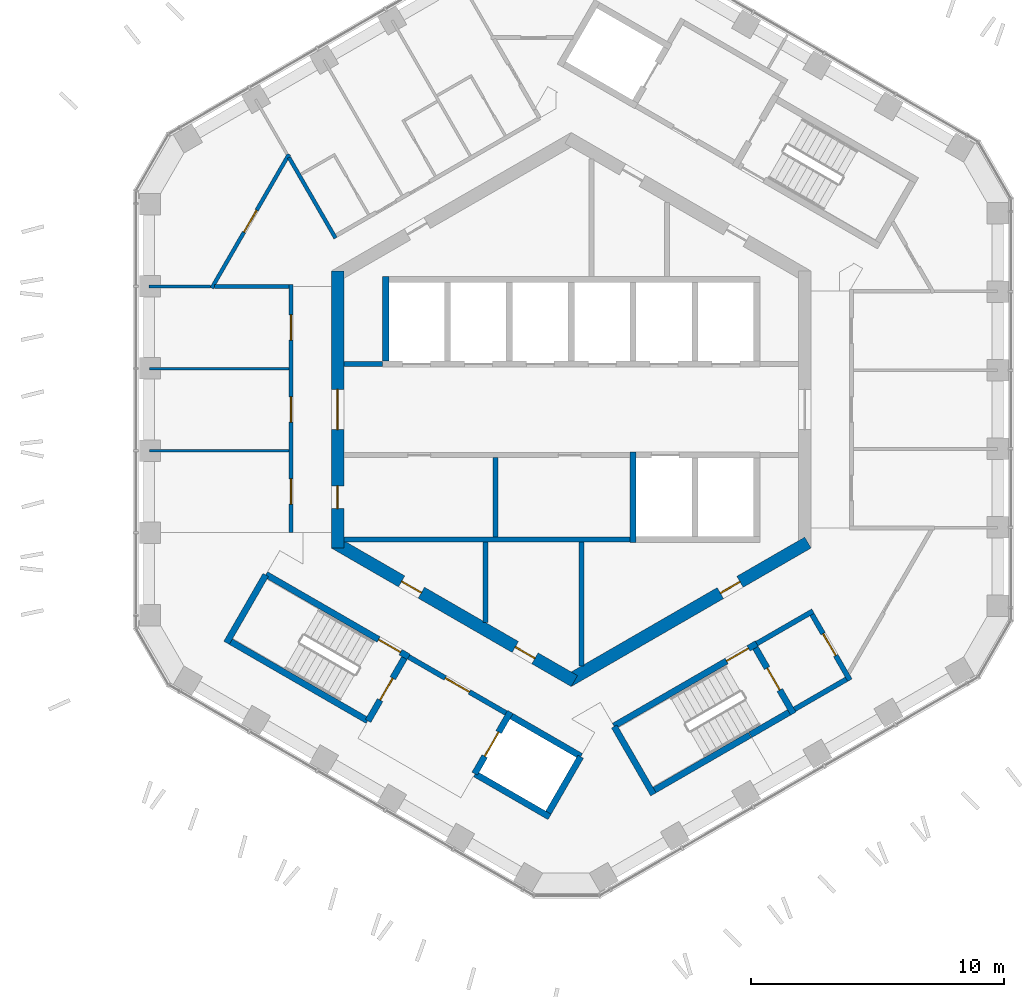
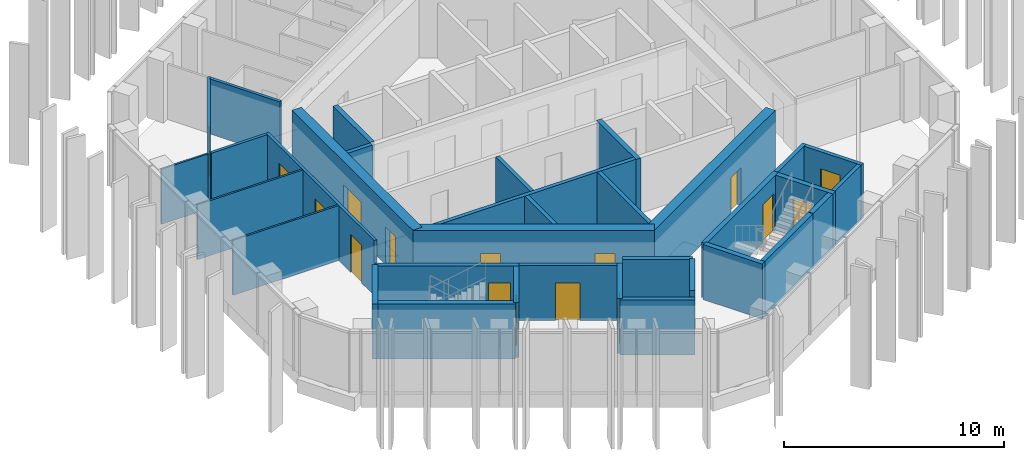
# One storey, part 12 of 18: 34 walls, 16 doors, 16 openings.
"""IFC4 building model written with IfcOpenShell, lengths in metres."""

from ifc_helpers import new_model, si_unit, direction, frame, frame_2d, origin, place, context, subcontext, project, spatial, rectangle, extrude, material, layer, layer_set, type_object, element, fill, save


model = new_model("IFC4")

# Units and contexts
model_context = context("Model", 3, precision=1e-05, world=origin(), true_north=direction((0.0, 1.0)))
body_context = subcontext(model_context, "Body", "Model", "MODEL_VIEW")
ifc_project = project(units=[si_unit("LENGTHUNIT", "METRE"), si_unit("AREAUNIT", "SQUARE_METRE"), si_unit("VOLUMEUNIT", "CUBIC_METRE"), si_unit("PLANEANGLEUNIT", "RADIAN"), si_unit("MASSUNIT", "GRAM", prefix="KILO")], contexts=[model_context])

# Site, building, storey
site_placement = place(None, origin())
site = spatial("IfcSite", under=ifc_project, at=site_placement, CompositionType="ELEMENT")
building_placement = place(site_placement, origin())
building = spatial("IfcBuilding", under=site, at=building_placement, Name="Ayvan Gate Tower", CompositionType="ELEMENT")
storey_placement = place(building_placement, frame((0.0, 0.0, 229.10009765625)))
storey = spatial("IfcBuildingStorey", under=building, at=storey_placement, Name="L61", CompositionType="ELEMENT", Elevation=229.10009765625)

# Wall, openings, doors
ifc_material_1 = material(Name="Concrete C60/75", Category="concrete")
ifc_layer_1 = layer(ifc_material_1, 0.5)
ifc_layer_set_1 = layer_set([ifc_layer_1], Name="Concrete C60/75")
wall_type_1 = type_object("IfcWallType", Name="Core wall 500 C60/75", PredefinedType="SHEAR", material=ifc_layer_set_1)
wall_1_placement = place(storey_placement, frame((-9.25, 5.48486328125, 0.0), z_axis=(0.0, 0.0, 1.0), x_axis=(0.0, -1.0, 0.0)))
wall_1 = element("IfcWall", 1, at=wall_1_placement, inside=storey, type_object=wall_type_1, Name="CORE-L61-3", PredefinedType="SHEAR", context=body_context, shape_type="SweptSolid", body=[
    extrude(rectangle(XDim=10.9697265625, YDim=0.5, at=frame_2d((5.48486328125, 0.0))), origin(), (0.0, 0.0, 1.0), 3.39990234375),
])
opening_1_placement = place(wall_1_placement, frame((8.509765625, 0.0, 0.0)))
opening_1 = element("IfcOpeningElement", 2, at=opening_1_placement, cuts=wall_1, Name="Opening L61-D43", PredefinedType="OPENING", context=body_context, shape_type="SweptSolid", body=[
    extrude(rectangle(XDim=0.89990234375, YDim=2.10009765625, at=frame_2d((0.449951171875, 1.050048828125))), frame((0.0, 0.260009765625, 0.0), z_axis=(0.0, -1.0, 0.0), x_axis=(1.0, 0.0, 0.0)), (0.0, 0.0, 1.0), 0.52001953125),
])
opening_2_placement = place(wall_1_placement, frame((4.684814453125, 0.0, 0.0)))
opening_2 = element("IfcOpeningElement", 3, at=opening_2_placement, cuts=wall_1, Name="Opening L61-D45", PredefinedType="OPENING", context=body_context, shape_type="SweptSolid", body=[
    extrude(rectangle(XDim=1.60009765625, YDim=2.10009765625, at=frame_2d((0.800048828125, 1.050048828125))), frame((0.0, 0.260009765625, 0.0), z_axis=(0.0, -1.0, 0.0), x_axis=(1.0, 0.0, 0.0)), (0.0, 0.0, 1.0), 0.52001953125),
])
ifc_material_2 = material(Name="Timber door leaf", Category="wood")
door_type_1 = type_object("IfcDoorType", Name="DT-1600", OperationType="NOTDEFINED", PredefinedType="DOOR", material=ifc_material_2)
door_1_placement = place(opening_2_placement, origin())
door_1 = element("IfcDoor", 4, at=door_1_placement, inside=storey, type_object=door_type_1, Name="CD-L61-45", OperationType="SINGLE_SWING_RIGHT", OverallHeight=2.10009765625, OverallWidth=1.60009765625, PredefinedType="DOOR", context=body_context, shape_type="SweptSolid", body=[
    extrude(rectangle(XDim=1.60009765625, YDim=2.10009765625, at=frame_2d((0.800048828125, 1.050048828125))), frame((0.0, 0.02490234375, 0.0), z_axis=(0.0, -1.0, 0.0), x_axis=(1.0, 0.0, 0.0)), (0.0, 0.0, 1.0), 0.050048828125),
])
fill(opening_2, door_1)
door_type_2 = type_object("IfcDoorType", Name="DT-900", OperationType="NOTDEFINED", PredefinedType="DOOR", material=ifc_material_2)
door_2_placement = place(opening_1_placement, origin())
door_2 = element("IfcDoor", 5, at=door_2_placement, inside=storey, type_object=door_type_2, Name="CD-L61-43", OperationType="SINGLE_SWING_RIGHT", OverallHeight=2.10009765625, OverallWidth=0.89990234375, PredefinedType="DOOR", context=body_context, shape_type="SweptSolid", body=[
    extrude(rectangle(XDim=0.89990234375, YDim=2.10009765625, at=frame_2d((0.449951171875, 1.050048828125))), frame((0.0, 0.02490234375, 0.0), z_axis=(0.0, -1.0, 0.0), x_axis=(1.0, 0.0, 0.0)), (0.0, 0.0, 1.0), 0.050048828125),
])
fill(opening_1, door_2)

wall_2_placement = place(storey_placement, frame((-9.375, -5.268310546875, 0.0), z_axis=(0.0, 0.0, 1.0), x_axis=(0.866023993627, -0.500002442456, 0.0)))
wall_2 = element("IfcWall", 6, at=wall_2_placement, inside=storey, type_object=wall_type_1, Name="CORE-L61-4", PredefinedType="SHEAR", context=body_context, shape_type="SweptSolid", body=[
    extrude(rectangle(XDim=10.9697265625, YDim=0.5, at=frame_2d((5.48486328125, 0.0))), origin(), (0.0, 0.0, 1.0), 3.39990234375),
])
opening_3_placement = place(wall_2_placement, frame((3.072509765625, 0.0, 0.0)))
opening_3 = element("IfcOpeningElement", 7, at=opening_3_placement, cuts=wall_2, Name="Opening L61-D40", PredefinedType="OPENING", context=body_context, shape_type="SweptSolid", body=[
    extrude(rectangle(XDim=0.89990234375, YDim=2.10009765625, at=frame_2d((0.449951171875, 1.050048828125))), frame((0.0, 0.260009765625, 0.0), z_axis=(0.0, -1.0, 0.0), x_axis=(1.0, 0.0, 0.0)), (0.0, 0.0, 1.0), 0.52001953125),
])
opening_4_placement = place(wall_2_placement, frame((8.267333984375, 0.0, 0.0)))
opening_4 = element("IfcOpeningElement", 8, at=opening_4_placement, cuts=wall_2, Name="Opening L61-D41", PredefinedType="OPENING", context=body_context, shape_type="SweptSolid", body=[
    extrude(rectangle(XDim=0.89990234375, YDim=2.10009765625, at=frame_2d((0.449951171875, 1.050048828125))), frame((0.0, 0.260009765625, 0.0), z_axis=(0.0, -1.0, 0.0), x_axis=(1.0, 0.0, 0.0)), (0.0, 0.0, 1.0), 0.52001953125),
])
door_3_placement = place(opening_3_placement, origin())
door_3 = element("IfcDoor", 9, at=door_3_placement, inside=storey, type_object=door_type_2, Name="CD-L61-40", OperationType="SINGLE_SWING_LEFT", OverallHeight=2.10009765625, OverallWidth=0.89990234375, PredefinedType="DOOR", context=body_context, shape_type="SweptSolid", body=[
    extrude(rectangle(XDim=0.89990234375, YDim=2.10009765625, at=frame_2d((0.449951171875, 1.050048828125))), frame((0.0, 0.02490234375, 0.0), z_axis=(0.0, -1.0, 0.0), x_axis=(1.0, 0.0, 0.0)), (0.0, 0.0, 1.0), 0.050048828125),
])
fill(opening_3, door_3)
door_4_placement = place(opening_4_placement, origin())
door_4 = element("IfcDoor", 10, at=door_4_placement, inside=storey, type_object=door_type_2, Name="CD-L61-41", OperationType="SINGLE_SWING_RIGHT", OverallHeight=2.10009765625, OverallWidth=0.89990234375, PredefinedType="DOOR", context=body_context, shape_type="SweptSolid", body=[
    extrude(rectangle(XDim=0.89990234375, YDim=2.10009765625, at=frame_2d((0.449951171875, 1.050048828125))), frame((0.0, 0.02490234375, 0.0), z_axis=(0.0, -1.0, 0.0), x_axis=(1.0, 0.0, 0.0)), (0.0, 0.0, 1.0), 0.050048828125),
])
fill(opening_4, door_4)

# Wall, opening, door
wall_3_placement = place(storey_placement, frame((-0.125, -10.753173828125, 0.0), z_axis=(0.0, 0.0, 1.0), x_axis=(0.866023993627, 0.500002442456, 0.0)))
wall_3 = element("IfcWall", 11, at=wall_3_placement, inside=storey, type_object=wall_type_1, Name="CORE-L61-5", PredefinedType="SHEAR", context=body_context, shape_type="SweptSolid", body=[
    extrude(rectangle(XDim=10.9697265625, YDim=0.5, at=frame_2d((5.48486328125, 0.0))), origin(), (0.0, 0.0, 1.0), 3.39990234375),
])
opening_5_placement = place(wall_3_placement, frame((6.96435546875, 0.0, 0.0)))
opening_5 = element("IfcOpeningElement", 12, at=opening_5_placement, cuts=wall_3, Name="Opening L61-D42", PredefinedType="OPENING", context=body_context, shape_type="SweptSolid", body=[
    extrude(rectangle(XDim=0.89990234375, YDim=2.10009765625, at=frame_2d((0.449951171875, 1.050048828125))), frame((0.0, 0.260009765625, 0.0), z_axis=(0.0, -1.0, 0.0), x_axis=(1.0, 0.0, 0.0)), (0.0, 0.0, 1.0), 0.52001953125),
])
door_5_placement = place(opening_5_placement, origin())
door_5 = element("IfcDoor", 13, at=door_5_placement, inside=storey, type_object=door_type_2, Name="CD-L61-42", OperationType="SINGLE_SWING_LEFT", OverallHeight=2.10009765625, OverallWidth=0.89990234375, PredefinedType="DOOR", context=body_context, shape_type="SweptSolid", body=[
    extrude(rectangle(XDim=0.89990234375, YDim=2.10009765625, at=frame_2d((0.449951171875, 1.050048828125))), frame((0.0, 0.02490234375, 0.0), z_axis=(0.0, -1.0, 0.0), x_axis=(1.0, 0.0, 0.0)), (0.0, 0.0, 1.0), 0.050048828125),
])
fill(opening_5, door_5)

ifc_material_3 = material(Name="Plasterboard on steel stud", Category="steel")
ifc_layer_2 = layer(ifc_material_3, 0.14990234375)
ifc_layer_set_2 = layer_set([ifc_layer_2], Name="Plasterboard on steel stud")
wall_type_2 = type_object("IfcWallType", Name="WT-CORR-150", PredefinedType="PARTITIONING", material=ifc_layer_set_2)
wall_4_placement = place(storey_placement, frame((-14.23681640625, 4.8076171875, 0.0), z_axis=(0.0, 0.0, 1.0), x_axis=(0.500041108788, 0.866001668314, 0.0)))
wall_4 = element("IfcWall", 14, at=wall_4_placement, inside=storey, type_object=wall_type_2, Name="IW-L61-001", PredefinedType="PARTITIONING", context=body_context, shape_type="SweptSolid", body=[
    extrude(rectangle(XDim=6.12353515625, YDim=0.14990234375, at=frame_2d((3.061767578125, 0.0))), origin(), (0.0, 0.0, 1.0), 3.0498046875),
])
opening_6_placement = place(wall_4_placement, frame((2.561767578125, 0.0, 0.0)))
opening_6 = element("IfcOpeningElement", 15, at=opening_6_placement, cuts=wall_4, Name="Opening L61-D26", PredefinedType="OPENING", context=body_context, shape_type="SweptSolid", body=[
    extrude(rectangle(XDim=1.0, YDim=2.10009765625, at=frame_2d((0.5, 1.050048828125))), frame((0.0, 0.0849609375, 0.0), z_axis=(0.0, -1.0, 0.0), x_axis=(1.0, 0.0, 0.0)), (0.0, 0.0, 1.0), 0.169921875),
])
door_type_3 = type_object("IfcDoorType", Name="DT-1000", OperationType="NOTDEFINED", PredefinedType="DOOR", material=ifc_material_2)
door_6_placement = place(opening_6_placement, origin())
door_6 = element("IfcDoor", 16, at=door_6_placement, inside=storey, type_object=door_type_3, Name="ID-L61-026", OperationType="SINGLE_SWING_LEFT", OverallHeight=2.10009765625, OverallWidth=1.0, PredefinedType="DOOR", context=body_context, shape_type="SweptSolid", body=[
    extrude(rectangle(XDim=1.0, YDim=2.10009765625, at=frame_2d((0.5, 1.050048828125))), frame((0.0, 0.02490234375, 0.0), z_axis=(0.0, -1.0, 0.0), x_axis=(1.0, 0.0, 0.0)), (0.0, 0.0, 1.0), 0.050048828125),
])
fill(opening_6, door_6)

# Wall
wall_5_placement = place(storey_placement, frame((-11.1748046875, 9.980712890625, 0.0), z_axis=(0.0, 0.0, 1.0), x_axis=(0.50000721447, -0.866021238468, 0.0)))
element("IfcWall", 17, at=wall_5_placement, inside=storey, type_object=wall_type_2, Name="IW-L61-005", PredefinedType="PARTITIONING", context=body_context, shape_type="SweptSolid", body=[
    extrude(rectangle(XDim=3.68603515625, YDim=0.14990234375, at=frame_2d((1.843017578125, 0.0))), origin(), (0.0, 0.0, 1.0), 3.0498046875),
])

# Wall, openings, doors
wall_6_placement = place(storey_placement, frame((-11.10009765625, -4.872314453125, 0.0), z_axis=(0.0, 0.0, 1.0), x_axis=(0.0, 1.0, 0.0)))
wall_6 = element("IfcWall", 18, at=wall_6_placement, inside=storey, type_object=wall_type_2, Name="IW-L61-006", PredefinedType="PARTITIONING", context=body_context, shape_type="SweptSolid", body=[
    extrude(rectangle(XDim=9.81982421875, YDim=0.14990234375, at=frame_2d((4.909912109375, 0.0))), origin(), (0.0, 0.0, 1.0), 3.0498046875),
])
opening_7_placement = place(wall_6_placement, frame((7.62060546875, 0.0, 0.0)))
opening_7 = element("IfcOpeningElement", 19, at=opening_7_placement, cuts=wall_6, Name="Opening L61-D27", PredefinedType="OPENING", context=body_context, shape_type="SweptSolid", body=[
    extrude(rectangle(XDim=1.0, YDim=2.10009765625, at=frame_2d((0.5, 1.050048828125))), frame((0.0, 0.0849609375, 0.0), z_axis=(0.0, -1.0, 0.0), x_axis=(1.0, 0.0, 0.0)), (0.0, 0.0, 1.0), 0.169921875),
])
opening_8_placement = place(wall_6_placement, frame((4.372314453125, 0.0, 0.0)))
opening_8 = element("IfcOpeningElement", 20, at=opening_8_placement, cuts=wall_6, Name="Opening L61-D28", PredefinedType="OPENING", context=body_context, shape_type="SweptSolid", body=[
    extrude(rectangle(XDim=1.0, YDim=2.10009765625, at=frame_2d((0.5, 1.050048828125))), frame((0.0, 0.0849609375, 0.0), z_axis=(0.0, -1.0, 0.0), x_axis=(1.0, 0.0, 0.0)), (0.0, 0.0, 1.0), 0.169921875),
])
opening_9_placement = place(wall_6_placement, frame((1.12353515625, 0.0, 0.0)))
opening_9 = element("IfcOpeningElement", 21, at=opening_9_placement, cuts=wall_6, Name="Opening L61-D29", PredefinedType="OPENING", context=body_context, shape_type="SweptSolid", body=[
    extrude(rectangle(XDim=1.0, YDim=2.10009765625, at=frame_2d((0.5, 1.050048828125))), frame((0.0, 0.0849609375, 0.0), z_axis=(0.0, -1.0, 0.0), x_axis=(1.0, 0.0, 0.0)), (0.0, 0.0, 1.0), 0.169921875),
])
door_7_placement = place(opening_7_placement, origin())
door_7 = element("IfcDoor", 22, at=door_7_placement, inside=storey, type_object=door_type_3, Name="ID-L61-027", OperationType="SINGLE_SWING_RIGHT", OverallHeight=2.10009765625, OverallWidth=1.0, PredefinedType="DOOR", context=body_context, shape_type="SweptSolid", body=[
    extrude(rectangle(XDim=1.0, YDim=2.10009765625, at=frame_2d((0.5, 1.050048828125))), frame((0.0, 0.02490234375, 0.0), z_axis=(0.0, -1.0, 0.0), x_axis=(1.0, 0.0, 0.0)), (0.0, 0.0, 1.0), 0.050048828125),
])
fill(opening_7, door_7)
door_8_placement = place(opening_8_placement, origin())
door_8 = element("IfcDoor", 23, at=door_8_placement, inside=storey, type_object=door_type_3, Name="ID-L61-028", OperationType="SINGLE_SWING_LEFT", OverallHeight=2.10009765625, OverallWidth=1.0, PredefinedType="DOOR", context=body_context, shape_type="SweptSolid", body=[
    extrude(rectangle(XDim=1.0, YDim=2.10009765625, at=frame_2d((0.5, 1.050048828125))), frame((0.0, 0.02490234375, 0.0), z_axis=(0.0, -1.0, 0.0), x_axis=(1.0, 0.0, 0.0)), (0.0, 0.0, 1.0), 0.050048828125),
])
fill(opening_8, door_8)
door_9_placement = place(opening_9_placement, origin())
door_9 = element("IfcDoor", 24, at=door_9_placement, inside=storey, type_object=door_type_3, Name="ID-L61-029", OperationType="SINGLE_SWING_RIGHT", OverallHeight=2.10009765625, OverallWidth=1.0, PredefinedType="DOOR", context=body_context, shape_type="SweptSolid", body=[
    extrude(rectangle(XDim=1.0, YDim=2.10009765625, at=frame_2d((0.5, 1.050048828125))), frame((0.0, 0.02490234375, 0.0), z_axis=(0.0, -1.0, 0.0), x_axis=(1.0, 0.0, 0.0)), (0.0, 0.0, 1.0), 0.050048828125),
])
fill(opening_9, door_9)

# Walls
wall_7_placement = place(storey_placement, frame((-11.1748046875, 4.872314453125, 0.0), z_axis=(0.0, 0.0, 1.0), x_axis=(-1.0, 0.0, 0.0)))
element("IfcWall", 25, at=wall_7_placement, inside=storey, type_object=wall_type_2, Name="IW-L61-009", PredefinedType="PARTITIONING", context=body_context, shape_type="SweptSolid", body=[
    extrude(rectangle(XDim=2.949462890625, YDim=0.14990234375, at=frame_2d((1.474609375, 0.0))), origin(), (0.0, 0.0, 1.0), 3.0498046875),
])
ifc_layer_3 = layer(ifc_material_3, 0.10009765625)
ifc_layer_set_3 = layer_set([ifc_layer_3], Name="Plasterboard on steel stud")
wall_type_3 = type_object("IfcWallType", Name="WT-PART-100", PredefinedType="PARTITIONING", material=ifc_layer_set_3)
wall_8_placement = place(storey_placement, frame((-14.274169921875, 4.872314453125, 0.0), z_axis=(0.0, 0.0, 1.0), x_axis=(-1.0, 0.0, 0.0)))
element("IfcWall", 26, at=wall_8_placement, inside=storey, type_object=wall_type_3, Name="IW-L61-000", PredefinedType="PARTITIONING", context=body_context, shape_type="SweptSolid", body=[
    extrude(rectangle(XDim=2.435302734375, YDim=0.10009765625, at=frame_2d((1.2177734375, 0.0))), origin(), (0.0, 0.0, 1.0), 3.0498046875),
])
for number, where, z_axis, x_axis, name in (
    (27, (-11.175048828125, -1.6240234375, 0.0), (0.0, 0.0, 1.0), (-1.0, 0.0, 0.0), "IW-L61-007"),
    (28, (-11.175048828125, 1.6240234375, 0.0), (0.0, 0.0, 1.0), (-1.0, 0.0, 0.0), "IW-L61-008"),
):
    element("IfcWall", number, at=place(storey_placement, frame(where, z_axis=z_axis, x_axis=x_axis)), inside=storey, type_object=wall_type_3, Name=name, PredefinedType="PARTITIONING", context=body_context, shape_type="SweptSolid", body=[
        extrude(rectangle(XDim=5.534423828125, YDim=0.10009765625, at=frame_2d((2.76708984375, 0.0))), origin(), (0.0, 0.0, 1.0), 3.0498046875),
    ])
ifc_layer_4 = layer(ifc_material_3, 0.199951171875)
ifc_layer_set_4 = layer_set([ifc_layer_4], Name="Plasterboard on steel stud")
wall_type_4 = type_object("IfcWallType", Name="WT-RATED-200", PredefinedType="PARTITIONING", material=ifc_layer_set_4)
wall_9_placement = place(storey_placement, frame((-9.0, 1.800048828125, 0.0), z_axis=(0.0, 0.0, 1.0), x_axis=(1.0, 0.0, 0.0)))
element("IfcWall", 29, at=wall_9_placement, inside=storey, type_object=wall_type_4, Name="IW-L61-012", PredefinedType="PARTITIONING", context=body_context, shape_type="SweptSolid", body=[
    extrude(rectangle(XDim=1.525146484375, YDim=0.199951171875, at=frame_2d((0.7626953125, 0.0))), origin(), (0.0, 0.0, 1.0), 3.0498046875),
])
wall_10_placement = place(storey_placement, frame((-9.0, -5.14990234375, 0.0), z_axis=(0.0, 0.0, 1.0), x_axis=(1.0, 0.0, 0.0)))
element("IfcWall", 30, at=wall_10_placement, inside=storey, type_object=wall_type_4, Name="IW-L61-013", PredefinedType="PARTITIONING", context=body_context, shape_type="SweptSolid", body=[
    extrude(rectangle(XDim=11.3251953125, YDim=0.199951171875, at=frame_2d((5.66259765625, 0.0))), origin(), (0.0, 0.0, 1.0), 3.0498046875),
])

# Wall, opening, door
wall_11_placement = place(storey_placement, frame((-6.4345703125, -9.794921875, 0.0), z_axis=(0.0, 0.0, 1.0), x_axis=(0.866012907634, -0.500021643343, 0.0)))
wall_11 = element("IfcWall", 31, at=wall_11_placement, inside=storey, type_object=wall_type_4, Name="IW-L61-022", PredefinedType="PARTITIONING", context=body_context, shape_type="SweptSolid", body=[
    extrude(rectangle(XDim=4.449951171875, YDim=0.199951171875, at=frame_2d((2.22509765625, 0.0))), origin(), (0.0, 0.0, 1.0), 3.0498046875),
])
opening_10_placement = place(wall_11_placement, frame((1.675048828125, 0.0, 0.0)))
opening_10 = element("IfcOpeningElement", 32, at=opening_10_placement, cuts=wall_11, Name="Opening L61-D16", PredefinedType="OPENING", context=body_context, shape_type="SweptSolid", body=[
    extrude(rectangle(XDim=1.10009765625, YDim=2.10009765625, at=frame_2d((0.550048828125, 1.050048828125))), frame((0.0, 0.10986328125, 0.0), z_axis=(0.0, -1.0, 0.0), x_axis=(1.0, 0.0, 0.0)), (0.0, 0.0, 1.0), 0.219970703125),
])
door_type_4 = type_object("IfcDoorType", Name="DT-1100", OperationType="NOTDEFINED", PredefinedType="DOOR", material=ifc_material_2)
door_10_placement = place(opening_10_placement, origin())
door_10 = element("IfcDoor", 33, at=door_10_placement, inside=storey, type_object=door_type_4, Name="ID-L61-016", OperationType="SINGLE_SWING_LEFT", OverallHeight=2.10009765625, OverallWidth=1.10009765625, PredefinedType="DOOR", context=body_context, shape_type="SweptSolid", body=[
    extrude(rectangle(XDim=1.10009765625, YDim=2.10009765625, at=frame_2d((0.550048828125, 1.050048828125))), frame((0.0, 0.02490234375, 0.0), z_axis=(0.0, -1.0, 0.0), x_axis=(1.0, 0.0, 0.0)), (0.0, 0.0, 1.0), 0.050048828125),
])
fill(opening_10, door_10)

# Walls
wall_12_placement = place(storey_placement, frame((-3.39990234375, -5.25, 0.0), z_axis=(0.0, 0.0, 1.0), x_axis=(0.0, -1.0, 0.0)))
element("IfcWall", 34, at=wall_12_placement, inside=storey, type_object=wall_type_4, Name="IW-L61-027", PredefinedType="PARTITIONING", context=body_context, shape_type="SweptSolid", body=[
    extrude(rectangle(XDim=3.17919921875, YDim=0.199951171875, at=frame_2d((1.589599609375, 0.0))), origin(), (0.0, 0.0, 1.0), 3.0498046875),
])
wall_13_placement = place(storey_placement, frame((-3.0, -1.89990234375, 0.0), z_axis=(0.0, 0.0, 1.0), x_axis=(0.0, -1.0, 0.0)))
element("IfcWall", 35, at=wall_13_placement, inside=storey, type_object=wall_type_4, Name="IW-L61-030", PredefinedType="PARTITIONING", context=body_context, shape_type="SweptSolid", body=[
    extrude(rectangle(XDim=3.150146484375, YDim=0.199951171875, at=frame_2d((1.5751953125, 0.0))), origin(), (0.0, 0.0, 1.0), 3.0498046875),
])
wall_14_placement = place(storey_placement, frame((0.39990234375, -5.25, 0.0), z_axis=(0.0, 0.0, 1.0), x_axis=(0.0, -1.0, 0.0)))
element("IfcWall", 36, at=wall_14_placement, inside=storey, type_object=wall_type_4, Name="IW-L61-042", PredefinedType="PARTITIONING", context=body_context, shape_type="SweptSolid", body=[
    extrude(rectangle(XDim=4.911376953125, YDim=0.199951171875, at=frame_2d((2.45556640625, 0.0))), origin(), (0.0, 0.0, 1.0), 3.0498046875),
])
wall_15_placement = place(storey_placement, frame((7.343994140625, -9.27001953125, 0.0), z_axis=(0.0, 0.0, 1.0), x_axis=(0.866005588531, 0.500034319456, 0.0)))
element("IfcWall", 37, at=wall_15_placement, inside=storey, type_object=wall_type_4, Name="IW-L61-062", PredefinedType="PARTITIONING", context=body_context, shape_type="SweptSolid", body=[
    extrude(rectangle(XDim=2.574951171875, YDim=0.199951171875, at=frame_2d((1.28759765625, 0.0))), origin(), (0.0, 0.0, 1.0), 3.0498046875),
])

# Wall, opening, door
wall_16_placement = place(storey_placement, frame((9.537353515625, -8.119140625, 0.0), z_axis=(0.0, 0.0, 1.0), x_axis=(0.499990139034, -0.866031096941, 0.0)))
wall_16 = element("IfcWall", 38, at=wall_16_placement, inside=storey, type_object=wall_type_4, Name="IW-L61-071", PredefinedType="PARTITIONING", context=body_context, shape_type="SweptSolid", body=[
    extrude(rectangle(XDim=3.0, YDim=0.199951171875, at=frame_2d((1.5, 0.0))), origin(), (0.0, 0.0, 1.0), 3.0498046875),
])
opening_11_placement = place(wall_16_placement, frame((0.87646484375, 0.0, 0.0)))
opening_11 = element("IfcOpeningElement", 39, at=opening_11_placement, cuts=wall_16, Name="Opening L61-D19", PredefinedType="OPENING", context=body_context, shape_type="SweptSolid", body=[
    extrude(rectangle(XDim=1.0, YDim=2.10009765625, at=frame_2d((0.5, 1.050048828125))), frame((0.0, 0.10986328125, 0.0), z_axis=(0.0, -1.0, 0.0), x_axis=(1.0, 0.0, 0.0)), (0.0, 0.0, 1.0), 0.219970703125),
])
door_11_placement = place(opening_11_placement, origin())
door_11 = element("IfcDoor", 40, at=door_11_placement, inside=storey, type_object=door_type_3, Name="ID-L61-019", OperationType="SINGLE_SWING_RIGHT", OverallHeight=2.10009765625, OverallWidth=1.0, PredefinedType="DOOR", context=body_context, shape_type="SweptSolid", body=[
    extrude(rectangle(XDim=1.0, YDim=2.10009765625, at=frame_2d((0.5, 1.050048828125))), frame((0.0, 0.02490234375, 0.0), z_axis=(0.0, -1.0, 0.0), x_axis=(1.0, 0.0, 0.0)), (0.0, 0.0, 1.0), 0.050048828125),
])
fill(opening_11, door_11)

# Walls
wall_17_placement = place(storey_placement, frame((10.900634765625, -10.6806640625, 0.0), z_axis=(0.0, 0.0, 1.0), x_axis=(-0.866007538022, -0.500030943131, 0.0)))
element("IfcWall", 41, at=wall_17_placement, inside=storey, type_object=wall_type_4, Name="IW-L61-072", PredefinedType="PARTITIONING", context=body_context, shape_type="SweptSolid", body=[
    extrude(rectangle(XDim=2.374755859375, YDim=0.199951171875, at=frame_2d((1.1875, 0.0))), origin(), (0.0, 0.0, 1.0), 3.0498046875),
])
ifc_material_4 = material(Name="Concrete C50/60", Category="concrete")
ifc_layer_5 = layer(ifc_material_4, 0.25)
ifc_layer_set_5 = layer_set([ifc_layer_5], Name="Concrete C50/60")
wall_type_5 = type_object("IfcWallType", Name="WT-RC-250", PredefinedType="SHEAR", material=ifc_layer_set_5)
wall_18_placement = place(storey_placement, frame((-13.64794921875, -9.23876953125, 0.0), z_axis=(0.0, 0.0, 1.0), x_axis=(0.500003782172, 0.866023220135, 0.0)))
element("IfcWall", 42, at=wall_18_placement, inside=storey, type_object=wall_type_5, Name="IW-L61-002", PredefinedType="SHEAR", context=body_context, shape_type="SweptSolid", body=[
    extrude(rectangle(XDim=3.10498046875, YDim=0.25, at=frame_2d((1.552490234375, 0.0))), origin(), (0.0, 0.0, 1.0), 3.0498046875),
])

# Wall, opening, door
wall_19_placement = place(storey_placement, frame((-12.08544921875, -6.532470703125, 0.0), z_axis=(0.0, 0.0, 1.0), x_axis=(0.866031063448, -0.499990197047, 0.0)))
wall_19 = element("IfcWall", 43, at=wall_19_placement, inside=storey, type_object=wall_type_5, Name="IW-L61-004", PredefinedType="SHEAR", context=body_context, shape_type="SweptSolid", body=[
    extrude(rectangle(XDim=6.525146484375, YDim=0.25, at=frame_2d((3.2626953125, 0.0))), origin(), (0.0, 0.0, 1.0), 3.0498046875),
])
opening_12_placement = place(wall_19_placement, frame((5.14990234375, 0.0, 0.0)))
opening_12 = element("IfcOpeningElement", 44, at=opening_12_placement, cuts=wall_19, Name="Opening L61-D14", PredefinedType="OPENING", context=body_context, shape_type="SweptSolid", body=[
    extrude(rectangle(XDim=1.0, YDim=2.10009765625, at=frame_2d((0.5, 1.050048828125))), frame((0.0, 0.135009765625, 0.0), z_axis=(0.0, -1.0, 0.0), x_axis=(1.0, 0.0, 0.0)), (0.0, 0.0, 1.0), 0.27001953125),
])
door_12_placement = place(opening_12_placement, origin())
door_12 = element("IfcDoor", 45, at=door_12_placement, inside=storey, type_object=door_type_3, Name="ID-L61-014", OperationType="SINGLE_SWING_LEFT", OverallHeight=2.10009765625, OverallWidth=1.0, PredefinedType="DOOR", context=body_context, shape_type="SweptSolid", body=[
    extrude(rectangle(XDim=1.0, YDim=2.10009765625, at=frame_2d((0.5, 1.050048828125))), frame((0.0, 0.02490234375, 0.0), z_axis=(0.0, -1.0, 0.0), x_axis=(1.0, 0.0, 0.0)), (0.0, 0.0, 1.0), 0.050048828125),
])
fill(opening_12, door_12)

# Walls
wall_20_placement = place(storey_placement, frame((-8.06005859375, -12.320556640625, 0.0), z_axis=(0.0, 0.0, 1.0), x_axis=(-0.866029591389, 0.499992746786, 0.0)))
element("IfcWall", 46, at=wall_20_placement, inside=storey, type_object=wall_type_5, Name="IW-L61-014", PredefinedType="SHEAR", context=body_context, shape_type="SweptSolid", body=[
    extrude(rectangle(XDim=6.2548828125, YDim=0.25, at=frame_2d((3.12744140625, 0.0))), origin(), (0.0, 0.0, 1.0), 3.0498046875),
])
wall_21_placement = place(storey_placement, frame((-7.35009765625, 1.925048828125, 0.0), z_axis=(0.0, 0.0, 1.0), x_axis=(0.0, 1.0, 0.0)))
element("IfcWall", 47, at=wall_21_placement, inside=storey, type_object=wall_type_5, Name="IW-L61-017", PredefinedType="SHEAR", context=body_context, shape_type="SweptSolid", body=[
    extrude(rectangle(XDim=3.349853515625, YDim=0.25, at=frame_2d((1.6748046875, 0.0))), origin(), (0.0, 0.0, 1.0), 3.0498046875),
])

# Wall, opening, door
wall_22_placement = place(storey_placement, frame((-6.605224609375, -9.8408203125, 0.0), z_axis=(0.0, 0.0, 1.0), x_axis=(-0.500011588718, -0.866018712932, 0.0)))
wall_22 = element("IfcWall", 48, at=wall_22_placement, inside=storey, type_object=wall_type_5, Name="IW-L61-021", PredefinedType="SHEAR", context=body_context, shape_type="SweptSolid", body=[
    extrude(rectangle(XDim=2.875, YDim=0.25, at=frame_2d((1.4375, 0.0))), origin(), (0.0, 0.0, 1.0), 3.0498046875),
])
opening_13_placement = place(wall_22_placement, frame((0.923095703125, 0.0, 0.0)))
opening_13 = element("IfcOpeningElement", 49, at=opening_13_placement, cuts=wall_22, Name="Opening L61-D15", PredefinedType="OPENING", context=body_context, shape_type="SweptSolid", body=[
    extrude(rectangle(XDim=1.0, YDim=2.10009765625, at=frame_2d((0.5, 1.050048828125))), frame((0.0, 0.135009765625, 0.0), z_axis=(0.0, -1.0, 0.0), x_axis=(1.0, 0.0, 0.0)), (0.0, 0.0, 1.0), 0.27001953125),
])
door_13_placement = place(opening_13_placement, origin())
door_13 = element("IfcDoor", 50, at=door_13_placement, inside=storey, type_object=door_type_3, Name="ID-L61-015", OperationType="SINGLE_SWING_RIGHT", OverallHeight=2.10009765625, OverallWidth=1.0, PredefinedType="DOOR", context=body_context, shape_type="SweptSolid", body=[
    extrude(rectangle(XDim=1.0, YDim=2.10009765625, at=frame_2d((0.5, 1.050048828125))), frame((0.0, 0.02490234375, 0.0), z_axis=(0.0, -1.0, 0.0), x_axis=(1.0, 0.0, 0.0)), (0.0, 0.0, 1.0), 0.050048828125),
])
fill(opening_13, door_13)

wall_23_placement = place(storey_placement, frame((-2.409912109375, -11.97412109375, 0.0), z_axis=(0.0, 0.0, 1.0), x_axis=(-0.49998675294, -0.866033051843, 0.0)))
wall_23 = element("IfcWall", 51, at=wall_23_placement, inside=storey, type_object=wall_type_5, Name="IW-L61-033", PredefinedType="SHEAR", context=body_context, shape_type="SweptSolid", body=[
    extrude(rectangle(XDim=2.8251953125, YDim=0.25, at=frame_2d((1.41259765625, 0.0))), origin(), (0.0, 0.0, 1.0), 3.0498046875),
])
opening_14_placement = place(wall_23_placement, frame((0.925537109375, 0.0, 0.0)))
opening_14 = element("IfcOpeningElement", 52, at=opening_14_placement, cuts=wall_23, Name="Opening L61-LD-FF2", PredefinedType="OPENING", context=body_context, shape_type="SweptSolid", body=[
    extrude(rectangle(XDim=1.10009765625, YDim=2.10009765625, at=frame_2d((0.550048828125, 1.050048828125))), frame((0.0, 0.135009765625, 0.0), z_axis=(0.0, -1.0, 0.0), x_axis=(1.0, 0.0, 0.0)), (0.0, 0.0, 1.0), 0.27001953125),
])
ifc_material_5 = material(Name="Stainless steel landing door", Category="steel")
door_type_5 = type_object("IfcDoorType", Name="DT-LANDING-1100", OperationType="SLIDING_TO_LEFT", PredefinedType="DOOR", material=ifc_material_5)
door_14_placement = place(opening_14_placement, origin())
door_14 = element("IfcDoor", 53, at=door_14_placement, inside=storey, type_object=door_type_5, Name="ID-L61-017", OperationType="SLIDING_TO_LEFT", OverallHeight=2.10009765625, OverallWidth=1.10009765625, PredefinedType="DOOR", context=body_context, shape_type="SweptSolid", body=[
    extrude(rectangle(XDim=1.10009765625, YDim=2.10009765625, at=frame_2d((0.550048828125, 1.050048828125))), frame((0.0, 0.02490234375, 0.0), z_axis=(0.0, -1.0, 0.0), x_axis=(1.0, 0.0, 0.0)), (0.0, 0.0, 1.0), 0.050048828125),
])
fill(opening_14, door_14)

# Walls
wall_24_placement = place(storey_placement, frame((-2.3642578125, -12.14501953125, 0.0), z_axis=(0.0, 0.0, 1.0), x_axis=(0.866048579423, -0.499959856469, 0.0)))
element("IfcWall", 54, at=wall_24_placement, inside=storey, type_object=wall_type_5, Name="IW-L61-034", PredefinedType="SHEAR", context=body_context, shape_type="SweptSolid", body=[
    extrude(rectangle(XDim=3.175048828125, YDim=0.25, at=frame_2d((1.58740234375, 0.0))), origin(), (0.0, 0.0, 1.0), 3.39990234375),
])
wall_25_placement = place(storey_placement, frame((-0.8564453125, -16.13330078125, 0.0), z_axis=(0.0, 0.0, 1.0), x_axis=(-0.866032748241, 0.499987278812, 0.0)))
element("IfcWall", 55, at=wall_25_placement, inside=storey, type_object=wall_type_5, Name="IW-L61-038", PredefinedType="SHEAR", context=body_context, shape_type="SweptSolid", body=[
    extrude(rectangle(XDim=3.40478515625, YDim=0.25, at=frame_2d((1.702392578125, 0.0))), origin(), (0.0, 0.0, 1.0), 3.0498046875),
])
wall_26_placement = place(storey_placement, frame((0.37548828125, -13.749755859375, 0.0), z_axis=(0.0, 0.0, 1.0), x_axis=(-0.50003400563, -0.866005769735, 0.0)))
element("IfcWall", 56, at=wall_26_placement, inside=storey, type_object=wall_type_5, Name="IW-L61-041", PredefinedType="SHEAR", context=body_context, shape_type="SweptSolid", body=[
    extrude(rectangle(XDim=2.554931640625, YDim=0.25, at=frame_2d((1.27734375, 0.0))), origin(), (0.0, 0.0, 1.0), 3.39990234375),
])

# Wall, opening, door
wall_27_placement = place(storey_placement, frame((1.693115234375, -12.532470703125, 0.0), z_axis=(0.0, 0.0, 1.0), x_axis=(0.866031063448, 0.499990197047, 0.0)))
wall_27 = element("IfcWall", 57, at=wall_27_placement, inside=storey, type_object=wall_type_5, Name="IW-L61-045", PredefinedType="SHEAR", context=body_context, shape_type="SweptSolid", body=[
    extrude(rectangle(XDim=6.525146484375, YDim=0.25, at=frame_2d((3.2626953125, 0.0))), origin(), (0.0, 0.0, 1.0), 3.0498046875),
])
opening_15_placement = place(wall_27_placement, frame((5.14990234375, 0.0, 0.0)))
opening_15 = element("IfcOpeningElement", 58, at=opening_15_placement, cuts=wall_27, Name="Opening L61-D18", PredefinedType="OPENING", context=body_context, shape_type="SweptSolid", body=[
    extrude(rectangle(XDim=1.0, YDim=2.10009765625, at=frame_2d((0.5, 1.050048828125))), frame((0.0, 0.135009765625, 0.0), z_axis=(0.0, -1.0, 0.0), x_axis=(1.0, 0.0, 0.0)), (0.0, 0.0, 1.0), 0.27001953125),
])
door_15_placement = place(opening_15_placement, origin())
door_15 = element("IfcDoor", 59, at=door_15_placement, inside=storey, type_object=door_type_3, Name="ID-L61-018", OperationType="SINGLE_SWING_LEFT", OverallHeight=2.10009765625, OverallWidth=1.0, PredefinedType="DOOR", context=body_context, shape_type="SweptSolid", body=[
    extrude(rectangle(XDim=1.0, YDim=2.10009765625, at=frame_2d((0.5, 1.050048828125))), frame((0.0, 0.02490234375, 0.0), z_axis=(0.0, -1.0, 0.0), x_axis=(1.0, 0.0, 0.0)), (0.0, 0.0, 1.0), 0.050048828125),
])
fill(opening_15, door_15)

# Walls
wall_28_placement = place(storey_placement, frame((2.449951171875, -5.27490234375, 0.0), z_axis=(0.0, 0.0, 1.0), x_axis=(0.0, 1.0, 0.0)))
element("IfcWall", 60, at=wall_28_placement, inside=storey, type_object=wall_type_5, Name="IW-L61-046", PredefinedType="SHEAR", context=body_context, shape_type="SweptSolid", body=[
    extrude(rectangle(XDim=3.599853515625, YDim=0.25, at=frame_2d((1.7998046875, 0.0))), origin(), (0.0, 0.0, 1.0), 3.0498046875),
])
wall_29_placement = place(storey_placement, frame((3.255615234375, -15.23876953125, 0.0), z_axis=(0.0, 0.0, 1.0), x_axis=(-0.500003782172, 0.866023220135, 0.0)))
element("IfcWall", 61, at=wall_29_placement, inside=storey, type_object=wall_type_5, Name="IW-L61-050", PredefinedType="SHEAR", context=body_context, shape_type="SweptSolid", body=[
    extrude(rectangle(XDim=3.10498046875, YDim=0.25, at=frame_2d((1.552490234375, 0.0))), origin(), (0.0, 0.0, 1.0), 3.0498046875),
])
wall_30_placement = place(storey_placement, frame((7.07275390625, -12.890625, 0.0), z_axis=(0.0, 0.0, 1.0), x_axis=(-0.866023145199, -0.500003911965, 0.0)))
element("IfcWall", 62, at=wall_30_placement, inside=storey, type_object=wall_type_5, Name="IW-L61-060", PredefinedType="SHEAR", context=body_context, shape_type="SweptSolid", body=[
    extrude(rectangle(XDim=4.35498046875, YDim=0.25, at=frame_2d((2.177490234375, 0.0))), origin(), (0.0, 0.0, 1.0), 3.0498046875),
])

# Wall, opening, door
wall_31_placement = place(storey_placement, frame((7.298095703125, -9.44091796875, 0.0), z_axis=(0.0, 0.0, 1.0), x_axis=(0.50002537861, -0.866010750942, 0.0)))
wall_31 = element("IfcWall", 63, at=wall_31_placement, inside=storey, type_object=wall_type_5, Name="IW-L61-061", PredefinedType="SHEAR", context=body_context, shape_type="SweptSolid", body=[
    extrude(rectangle(XDim=2.999755859375, YDim=0.25, at=frame_2d((1.5, 0.0))), origin(), (0.0, 0.0, 1.0), 3.0498046875),
])
opening_16_placement = place(wall_31_placement, frame((0.922607421875, 0.0, 0.0)))
opening_16 = element("IfcOpeningElement", 64, at=opening_16_placement, cuts=wall_31, Name="Opening L61-D20", PredefinedType="OPENING", context=body_context, shape_type="SweptSolid", body=[
    extrude(rectangle(XDim=1.0, YDim=2.10009765625, at=frame_2d((0.5, 1.050048828125))), frame((0.0, 0.135009765625, 0.0), z_axis=(0.0, -1.0, 0.0), x_axis=(1.0, 0.0, 0.0)), (0.0, 0.0, 1.0), 0.27001953125),
])
door_16_placement = place(opening_16_placement, origin())
door_16 = element("IfcDoor", 65, at=door_16_placement, inside=storey, type_object=door_type_3, Name="ID-L61-020", OperationType="SINGLE_SWING_LEFT", OverallHeight=2.10009765625, OverallWidth=1.0, PredefinedType="DOOR", context=body_context, shape_type="SweptSolid", body=[
    extrude(rectangle(XDim=1.0, YDim=2.10009765625, at=frame_2d((0.5, 1.050048828125))), frame((0.0, 0.02490234375, 0.0), z_axis=(0.0, -1.0, 0.0), x_axis=(1.0, 0.0, 0.0)), (0.0, 0.0, 1.0), 0.050048828125),
])
fill(opening_16, door_16)

# Wall
wall_32_placement = place(storey_placement, frame((8.62744140625, -11.9931640625, 0.0), z_axis=(0.0, 0.0, 1.0), x_axis=(-0.866059624469, -0.499940723351, 0.0)))
element("IfcWall", 66, at=wall_32_placement, inside=storey, type_object=wall_type_5, Name="IW-L61-069", PredefinedType="SHEAR", context=body_context, shape_type="SweptSolid", body=[
    extrude(rectangle(XDim=1.775146484375, YDim=0.25, at=frame_2d((0.8876953125, 0.0))), origin(), (0.0, 0.0, 1.0), 3.0498046875),
])

save(model, "model.ifc")
